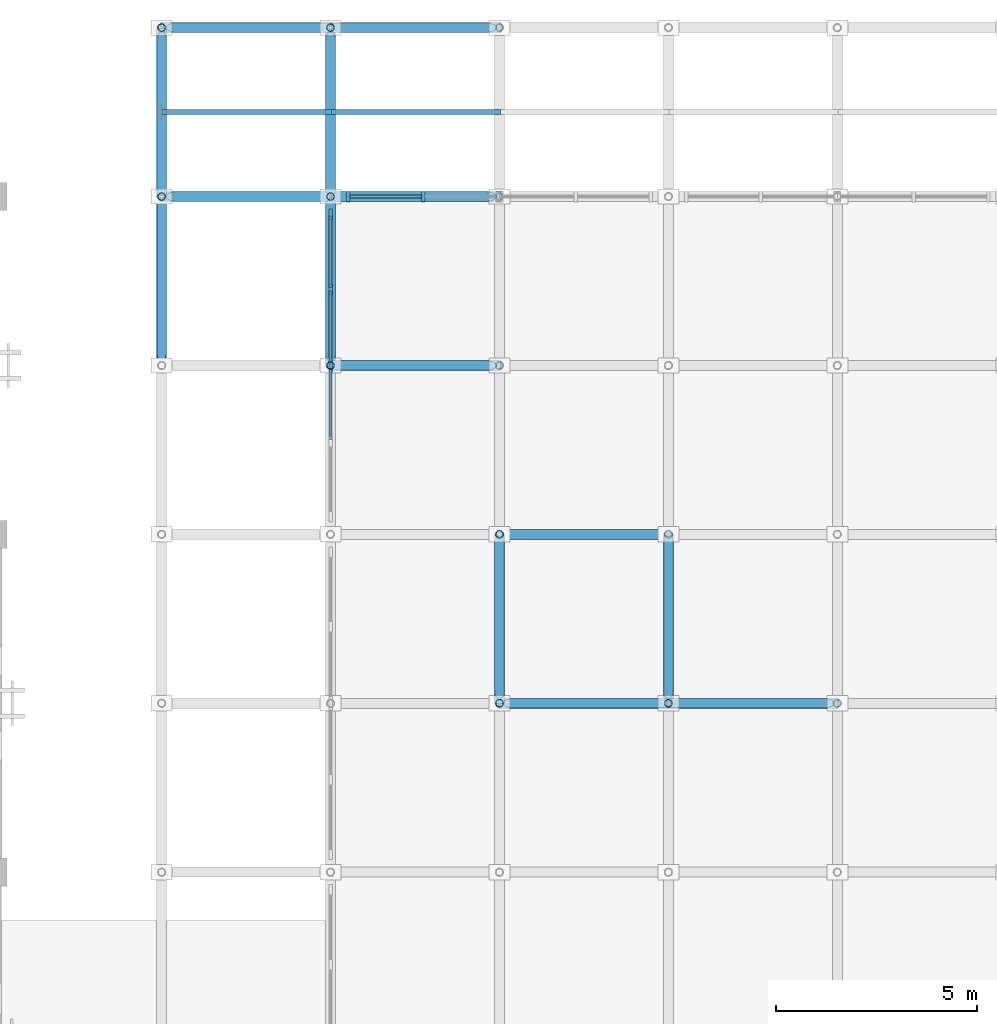
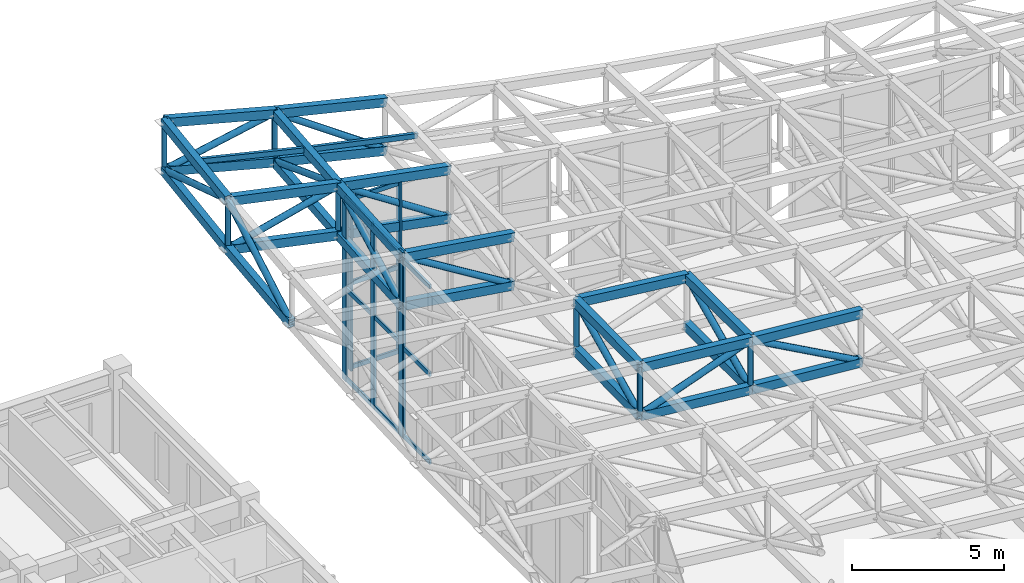
# One storey, part 32 of 111: 67 members, 3 elements without a shape of their own.
"""IFC4 building model written with IfcOpenShell, lengths in metres."""

import ifcopenshell
import ifcopenshell.guid

model = None  # the IFC model being written
_history = None  # IfcOwnerHistory: only IFC2X3 demands one
_inside = {}  # id of a spatial element -> (the spatial element, [elements in it])
_under = {}  # id of a project, library or spatial element -> (it, [spatial elements below it])
_declared = {}  # id of a project -> (the project, [libraries it declares])
_typed = {}  # id of a type object -> (the type object, [elements of that type])
_made_of = {}  # id of a material, layer set ... -> (it, [elements and type objects made of it])


def new_model(schema):
    """Start an empty IFC model of exactly this schema.

    Asked for "IFC4X3", IfcOpenShell would pick the latest addendum, in which some entities
    have other attributes; the version numbers below select the first issue.
    IFC2X3 requires an IfcOwnerHistory on every rooted entity: one is made here for all.
    """
    global model, _history
    if schema == "IFC4X3":
        model = ifcopenshell.file(schema_version=(4, 3, 0, 0))
    else:
        model = ifcopenshell.file(schema=schema)
    _inside.clear()
    _under.clear()
    _declared.clear()
    _typed.clear()
    _made_of.clear()
    _history = None
    if model.schema == "IFC2X3":
        org = make("IfcOrganization", Name="unknown")
        user = make(
            "IfcPersonAndOrganization",
            ThePerson=make("IfcPerson", FamilyName="unknown"),
            TheOrganization=org,
        )
        app = make(
            "IfcApplication",
            ApplicationDeveloper=org,
            Version="unknown",
            ApplicationFullName="unknown",
            ApplicationIdentifier="unknown",
        )
        _history = make(
            "IfcOwnerHistory",
            OwningUser=user,
            OwningApplication=app,
            ChangeAction="ADDED",
            CreationDate=0,
        )
    return model


def make(cls, **values):
    """One entity of the class cls with the attributes given. An attribute that is None is left unset."""
    return model.create_entity(
        cls, **{name: value for name, value in values.items() if value is not None}
    )


def rooted(cls, **values):
    """An entity with a GlobalId (a new one), such as an element, a storey or a relation."""
    return make(cls, GlobalId=ifcopenshell.guid.new(), OwnerHistory=_history, **values)


def si_unit(unit_type, name, prefix=None):
    """IfcSIUnit, for example si_unit("LENGTHUNIT", "METRE", prefix="MILLI")."""
    return make("IfcSIUnit", UnitType=unit_type, Prefix=prefix, Name=name)


def assignment(units):
    """IfcUnitAssignment: the units of a project."""
    return None if units is None else make("IfcUnitAssignment", Units=units)


def point(xyz):
    """IfcCartesianPoint."""
    return None if xyz is None else make("IfcCartesianPoint", Coordinates=xyz)


def direction(xyz):
    """IfcDirection."""
    return None if xyz is None else make("IfcDirection", DirectionRatios=xyz)


def frame(location, z_axis=None, x_axis=None):
    """IfcAxis2Placement3D, a coordinate frame: its origin and axes. An axis left out is left unset."""
    return make(
        "IfcAxis2Placement3D",
        Location=point(location),
        Axis=direction(z_axis),
        RefDirection=direction(x_axis),
    )


def frame_2d(location, x_axis=None):
    """IfcAxis2Placement2D, a coordinate frame in the plane: its origin and x axis."""
    return make(
        "IfcAxis2Placement2D", Location=point(location), RefDirection=direction(x_axis)
    )


def origin():
    """The frame at (0, 0, 0) with its axes left unset."""
    return frame((0.0, 0.0, 0.0))


def origin_2d():
    """The frame at (0, 0) in the plane with its x axis left unset."""
    return frame_2d((0.0, 0.0))


def place(relative_to, where):
    """IfcLocalPlacement: puts the frame where relative to a parent placement (None: the world)."""
    return make(
        "IfcLocalPlacement", PlacementRelTo=relative_to, RelativePlacement=where
    )


def context(
    kind, dimensions, precision=None, world=None, true_north=None, identifier=None
):
    """IfcGeometricRepresentationContext, for example the 3D "Model" context."""
    return make(
        "IfcGeometricRepresentationContext",
        ContextIdentifier=identifier,
        ContextType=kind,
        CoordinateSpaceDimension=dimensions,
        Precision=precision,
        WorldCoordinateSystem=world,
        TrueNorth=true_north,
    )


def subcontext(parent, identifier, kind, view, scale=None):
    """IfcGeometricRepresentationSubContext, for example "Body" below "Model"."""
    return make(
        "IfcGeometricRepresentationSubContext",
        ContextIdentifier=identifier,
        ContextType=kind,
        ParentContext=parent,
        TargetScale=scale,
        TargetView=view,
    )


def project(units=None, contexts=None):
    """IfcProject with its units and contexts."""
    return rooted(
        "IfcProject",
        Name="project",
        RepresentationContexts=contexts,
        UnitsInContext=assignment(units),
    )


def spatial(cls, under=None, at=None, **own):
    """A site, building, storey or space (cls), placed at a placement, below another one or the project."""
    s = rooted(cls, ObjectPlacement=at, **own)
    if under is not None:
        _under.setdefault(under.id(), (under, []))[1].append(s)
    return s


def profile(cls, at=None, kind="AREA", **sizes):
    """A parametric profile (cls). Its sizes go by their IFC names, for example OverallWidth=200.0."""
    return make(cls, ProfileType=kind, Position=at, **sizes)


def rectangle(**sizes):
    """IfcRectangleProfileDef."""
    return profile("IfcRectangleProfileDef", **sizes)


def hollow_rectangle(**sizes):
    """IfcRectangleHollowProfileDef."""
    return profile("IfcRectangleHollowProfileDef", **sizes)


def hollow_circle(**sizes):
    """IfcCircleHollowProfileDef."""
    return profile("IfcCircleHollowProfileDef", **sizes)


def extrude(swept, where, along, depth):
    """IfcExtrudedAreaSolid: the profile swept, set in the frame where, extruded along a direction by depth."""
    return make(
        "IfcExtrudedAreaSolid",
        SweptArea=swept,
        Position=where,
        ExtrudedDirection=direction(along),
        Depth=depth,
    )


def shape(context_of_items, identifier, shape_type, items):
    """IfcShapeRepresentation: the items that make up one representation, for example the "Body"."""
    return make(
        "IfcShapeRepresentation",
        ContextOfItems=context_of_items,
        RepresentationIdentifier=identifier,
        RepresentationType=shape_type,
        Items=items,
    )


def material(Name=None, Category=None):
    """IfcMaterial."""
    return make("IfcMaterial", Name=Name, Category=Category)


def material_profile(
    of_material, cross_section, Name=None, Category=None, Priority=None
):
    """IfcMaterialProfile: a cross section and its material."""
    return make(
        "IfcMaterialProfile",
        Name=Name,
        Material=of_material,
        Profile=cross_section,
        Priority=Priority,
        Category=Category,
    )


def profile_set(profiles, Name=None, composite=None):
    """IfcMaterialProfileSet."""
    return make(
        "IfcMaterialProfileSet",
        Name=Name,
        MaterialProfiles=profiles,
        CompositeProfile=composite,
    )


def made_of(thing, what):
    """Note that an element or type object is made of a material, layer set ...; save() writes the relation."""
    if what is not None:
        _made_of.setdefault(what.id(), (what, []))[1].append(thing)
    return thing


def type_object(cls, material=None, **own):
    """A type object (cls), such as IfcWallType, which elements share."""
    return made_of(rooted(cls, **own), material)


def element(
    cls,
    number,
    at=None,
    inside=None,
    cuts=None,
    type_object=None,
    material=None,
    context=None,
    identifier="Body",
    shape_type=None,
    held_by="IfcProductDefinitionShape",
    body=None,
    shapes=None,
    **own,
):
    """One element of the class cls, such as IfcWall. Its Tag is "e" and its number.

    at: its placement. inside: the storey or other place that contains it. cuts: it is an
    opening in that element (IfcRelVoidsElement). A single representation is given by context,
    identifier, shape_type and body (its items); several are given by shapes. held_by: the class
    of the entity that holds the representations. save() writes the other relations.
    """
    e = rooted(cls, Tag="e%d" % number, ObjectPlacement=at, **own)
    if body is not None:
        shapes = [shape(context, identifier, shape_type, body)]
    if shapes is not None:
        e.Representation = make(held_by, Representations=shapes)
    if inside is not None:
        _inside.setdefault(inside.id(), (inside, []))[1].append(e)
    if cuts is not None:
        rooted(
            "IfcRelVoidsElement", RelatingBuildingElement=cuts, RelatedOpeningElement=e
        )
    if type_object is not None:
        _typed.setdefault(type_object.id(), (type_object, []))[1].append(e)
    return made_of(e, material)


def aggregate(whole, parts):
    """IfcRelAggregates: a whole, such as a stair, and the parts it consists of."""
    return rooted("IfcRelAggregates", RelatingObject=whole, RelatedObjects=parts)


def save(model, path):
    """Write the relations noted so far, then the file.

    IfcRelAggregates (storeys below a building ...), IfcRelContainedInSpatialStructure (elements
    in a storey), IfcRelDefinesByType, IfcRelAssociatesMaterial and IfcRelDeclares: one each for
    every whole, place, type object, material and project.
    """
    for whole, parts in _under.values():
        aggregate(whole, parts)
    for where, things in _inside.values():
        rooted(
            "IfcRelContainedInSpatialStructure",
            RelatedElements=things,
            RelatingStructure=where,
        )
    for kind, things in _typed.values():
        rooted("IfcRelDefinesByType", RelatedObjects=things, RelatingType=kind)
    for what, things in _made_of.values():
        rooted("IfcRelAssociatesMaterial", RelatedObjects=things, RelatingMaterial=what)
    for by, libraries in _declared.values():
        rooted("IfcRelDeclares", RelatingContext=by, RelatedDefinitions=libraries)
    model.write(path)


model = new_model("IFC4")

# Units and contexts
model_context = context("Model", 3, precision=1e-05, world=origin(), true_north=direction((0.0, 1.0)))
body_context = subcontext(model_context, "Body", "Model", "MODEL_VIEW")
ifc_project = project(units=[si_unit("LENGTHUNIT", "METRE"), si_unit("AREAUNIT", "SQUARE_METRE"), si_unit("VOLUMEUNIT", "CUBIC_METRE"), si_unit("PLANEANGLEUNIT", "RADIAN"), si_unit("MASSUNIT", "GRAM", prefix="KILO")], contexts=[model_context])

# Site, building, storey
site_placement = place(None, origin())
site = spatial("IfcSite", under=ifc_project, at=site_placement, CompositionType="ELEMENT")
building_placement = place(site_placement, origin())
building = spatial("IfcBuilding", under=site, at=building_placement, Name="Cumbredor Promenade Congress Hotel", CompositionType="ELEMENT")
storey_placement = place(building_placement, frame((0.0, 0.0, 15.1201171875)))
storey = spatial("IfcBuildingStorey", under=building, at=storey_placement, Name="L04", CompositionType="ELEMENT", Elevation=15.1201171875)

# Curtain wall, members
ifc_material_1 = material(Name="Thermally broken anodized aluminium and low-E glass", Category="aluminium")
curtain_wall_type = type_object("IfcCurtainWallType", Name="Stepped Pavilion Clerestory Curtain Wall CW-06", PredefinedType="NOTDEFINED", material=ifc_material_1)
curtain_wall_1_placement = place(storey_placement, origin())
curtain_wall_1 = element("IfcCurtainWall", 1, at=curtain_wall_1_placement, inside=storey, type_object=curtain_wall_type, Name="Pre-Function and Breakout Meeting Forum N Glazed Clerestory 1", PredefinedType="NOTDEFINED")
ifc_material_2 = material(Name="Thermally broken anodized aluminium", Category="aluminium")
ifc_material_profile_1 = material_profile(ifc_material_2, rectangle(XDim=0.0849609375, YDim=0.260009765625, at=origin_2d()), Name="ALU MULLION CLERESTORY 85x260")
ifc_profile_set_1 = profile_set([ifc_material_profile_1], Name="Thermally broken anodized aluminium")
member_type_1 = type_object("IfcMemberType", Name="Curtain Wall Mullion ML-04", PredefinedType="MULLION", material=ifc_profile_set_1)
member_1_placement = place(storey_placement, frame((92.840087890625, 117.60009765625, -0.01806640625), z_axis=(0.0, 0.0, 1.0), x_axis=(1.0, 0.0, 0.0)))
member_1 = element("IfcMember", 2, at=member_1_placement, type_object=member_type_1, Name="Pre-Function and Breakout Meeting Forum N Glazed Clerestory 1 Mullion 1", PredefinedType="MULLION", context=body_context, shape_type="SweptSolid", body=[
    extrude(rectangle(XDim=0.0849609375, YDim=0.260009765625, at=origin_2d()), origin(), (0.0, 0.0, 1.0), 6.959228515625),
])
member_2_placement = place(storey_placement, frame((94.699951171875, 117.60009765625, -0.01806640625), z_axis=(0.0, 0.0, 1.0), x_axis=(1.0, 0.0, 0.0)))
member_2 = element("IfcMember", 3, at=member_2_placement, type_object=member_type_1, Name="Pre-Function and Breakout Meeting Forum N Glazed Clerestory 1 Mullion 2", PredefinedType="MULLION", context=body_context, shape_type="SweptSolid", body=[
    extrude(rectangle(XDim=0.0849609375, YDim=0.260009765625, at=origin_2d()), origin(), (0.0, 0.0, 1.0), 6.959228515625),
])

# Curtain wall, member
curtain_wall_2_placement = place(storey_placement, origin())
curtain_wall_2 = element("IfcCurtainWall", 4, at=curtain_wall_2_placement, inside=storey, type_object=curtain_wall_type, Name="Pre-Function and Breakout Meeting Forum W Glazed Clerestory 7", PredefinedType="NOTDEFINED")
member_3_placement = place(storey_placement, frame((92.39990234375, 113.360107421875, -0.01806640625), z_axis=(0.0, 0.0, 1.0), x_axis=(1.0, 0.0, 0.0)))
member_3 = element("IfcMember", 5, at=member_3_placement, type_object=member_type_1, Name="Pre-Function and Breakout Meeting Forum W Glazed Clerestory 7 Mullion 3", PredefinedType="MULLION", context=body_context, shape_type="SweptSolid", body=[
    extrude(rectangle(XDim=0.0849609375, YDim=0.260009765625, at=origin_2d()), origin(), (0.0, 0.0, 1.0), 7.248046875),
])

# Curtain wall, members
curtain_wall_3_placement = place(storey_placement, origin())
curtain_wall_3 = element("IfcCurtainWall", 6, at=curtain_wall_3_placement, inside=storey, type_object=curtain_wall_type, Name="Pre-Function and Breakout Meeting Forum W Glazed Clerestory 8", PredefinedType="NOTDEFINED")
member_4_placement = place(storey_placement, frame((92.39990234375, 113.43994140625, -0.01806640625), z_axis=(0.0, 0.0, 1.0), x_axis=(1.0, 0.0, 0.0)))
member_4 = element("IfcMember", 7, at=member_4_placement, type_object=member_type_1, Name="Pre-Function and Breakout Meeting Forum W Glazed Clerestory 8 Mullion 1", PredefinedType="MULLION", context=body_context, shape_type="SweptSolid", body=[
    extrude(rectangle(XDim=0.0849609375, YDim=0.260009765625, at=origin_2d()), origin(), (0.0, 0.0, 1.0), 7.4609375),
])
member_5_placement = place(storey_placement, frame((92.39990234375, 115.300048828125, -0.01806640625), z_axis=(0.0, 0.0, 1.0), x_axis=(1.0, 0.0, 0.0)))
member_5 = element("IfcMember", 8, at=member_5_placement, type_object=member_type_1, Name="Pre-Function and Breakout Meeting Forum W Glazed Clerestory 8 Mullion 2", PredefinedType="MULLION", context=body_context, shape_type="SweptSolid", body=[
    extrude(rectangle(XDim=0.0849609375, YDim=0.260009765625, at=origin_2d()), origin(), (0.0, 0.0, 1.0), 7.4609375),
])
member_6_placement = place(storey_placement, frame((92.39990234375, 117.159912109375, -0.01806640625), z_axis=(0.0, 0.0, 1.0), x_axis=(1.0, 0.0, 0.0)))
member_6 = element("IfcMember", 9, at=member_6_placement, type_object=member_type_1, Name="Pre-Function and Breakout Meeting Forum W Glazed Clerestory 8 Mullion 3", PredefinedType="MULLION", context=body_context, shape_type="SweptSolid", body=[
    extrude(rectangle(XDim=0.0849609375, YDim=0.260009765625, at=origin_2d()), origin(), (0.0, 0.0, 1.0), 7.4609375),
])

# Member
ifc_material_profile_2 = material_profile(ifc_material_2, rectangle(XDim=0.080078125, YDim=0.179931640625, at=origin_2d()), Name="ALU TRANSOM 80x180")
ifc_profile_set_2 = profile_set([ifc_material_profile_2], Name="Thermally broken anodized aluminium")
member_type_2 = type_object("IfcMemberType", Name="Curtain Wall Transom TR-03", PredefinedType="USERDEFINED", material=ifc_profile_set_2)
member_7_placement = place(storey_placement, frame((92.882568359375, 117.60009765625, 0.079833984375), z_axis=(1.0, 0.0, 0.0), x_axis=(0.0, 1.0, 0.0)))
member_7 = element("IfcMember", 10, at=member_7_placement, type_object=member_type_2, Name="Pre-Function and Breakout Meeting Forum N Glazed Clerestory 1 Transom 1.1", ObjectType="TRANSOM", PredefinedType="USERDEFINED", context=body_context, shape_type="SweptSolid", body=[
    extrude(rectangle(XDim=0.080078125, YDim=0.179931640625, at=origin_2d()), origin(), (0.0, 0.0, 1.0), 1.77490234375),
])

member_8_placement = place(storey_placement, frame((92.882568359375, 117.60009765625, 3.4599609375), z_axis=(1.0, 0.0, 0.0), x_axis=(0.0, 1.0, 0.0)))
member_8 = element("IfcMember", 11, at=member_8_placement, type_object=member_type_2, Name="Pre-Function and Breakout Meeting Forum N Glazed Clerestory 1 Transom 1.2", ObjectType="TRANSOM", PredefinedType="USERDEFINED", context=body_context, shape_type="SweptSolid", body=[
    extrude(rectangle(XDim=0.080078125, YDim=0.179931640625, at=origin_2d()), origin(), (0.0, 0.0, 1.0), 1.77490234375),
])

member_9_placement = place(storey_placement, frame((92.882568359375, 117.60009765625, 6.83984375), z_axis=(1.0, 0.0, 0.0), x_axis=(0.0, 1.0, 0.0)))
member_9 = element("IfcMember", 12, at=member_9_placement, type_object=member_type_2, Name="Pre-Function and Breakout Meeting Forum N Glazed Clerestory 1 Transom 1.3", ObjectType="TRANSOM", PredefinedType="USERDEFINED", context=body_context, shape_type="SweptSolid", body=[
    extrude(rectangle(XDim=0.080078125, YDim=0.179931640625, at=origin_2d()), origin(), (0.0, 0.0, 1.0), 1.77490234375),
])

aggregate(curtain_wall_1, [member_1, member_2, member_7, member_8, member_9])

member_10_placement = place(storey_placement, frame((92.39990234375, 111.54248046875, 0.079833984375), z_axis=(0.0, 1.0, 0.0), x_axis=(-1.0, 0.0, 0.0)))
member_10 = element("IfcMember", 13, at=member_10_placement, type_object=member_type_2, Name="Pre-Function and Breakout Meeting Forum W Glazed Clerestory 7 Transom 2.1", ObjectType="TRANSOM", PredefinedType="USERDEFINED", context=body_context, shape_type="SweptSolid", body=[
    extrude(rectangle(XDim=0.080078125, YDim=0.179931640625, at=origin_2d()), origin(), (0.0, 0.0, 1.0), 1.77490234375),
])

member_11_placement = place(storey_placement, frame((92.39990234375, 111.54248046875, 3.60986328125), z_axis=(0.0, 1.0, 0.0), x_axis=(-1.0, 0.0, 0.0)))
member_11 = element("IfcMember", 14, at=member_11_placement, type_object=member_type_2, Name="Pre-Function and Breakout Meeting Forum W Glazed Clerestory 7 Transom 2.2", ObjectType="TRANSOM", PredefinedType="USERDEFINED", context=body_context, shape_type="SweptSolid", body=[
    extrude(rectangle(XDim=0.080078125, YDim=0.179931640625, at=origin_2d()), origin(), (0.0, 0.0, 1.0), 1.77490234375),
])

member_12_placement = place(storey_placement, frame((92.39990234375, 111.54248046875, 7.1298828125), z_axis=(0.0, 1.0, 0.0), x_axis=(-1.0, 0.0, 0.0)))
member_12 = element("IfcMember", 15, at=member_12_placement, type_object=member_type_2, Name="Pre-Function and Breakout Meeting Forum W Glazed Clerestory 7 Transom 2.3", ObjectType="TRANSOM", PredefinedType="USERDEFINED", context=body_context, shape_type="SweptSolid", body=[
    extrude(rectangle(XDim=0.080078125, YDim=0.179931640625, at=origin_2d()), origin(), (0.0, 0.0, 1.0), 1.77490234375),
])

aggregate(curtain_wall_2, [member_3, member_10, member_11, member_12])

member_13_placement = place(storey_placement, frame((92.39990234375, 113.482421875, 0.079833984375), z_axis=(0.0, 1.0, 0.0), x_axis=(-1.0, 0.0, 0.0)))
member_13 = element("IfcMember", 16, at=member_13_placement, type_object=member_type_2, Name="Pre-Function and Breakout Meeting Forum W Glazed Clerestory 8 Transom 1.1", ObjectType="TRANSOM", PredefinedType="USERDEFINED", context=body_context, shape_type="SweptSolid", body=[
    extrude(rectangle(XDim=0.080078125, YDim=0.179931640625, at=origin_2d()), origin(), (0.0, 0.0, 1.0), 1.775146484375),
])

member_14_placement = place(storey_placement, frame((92.39990234375, 113.482421875, 3.7099609375), z_axis=(0.0, 1.0, 0.0), x_axis=(-1.0, 0.0, 0.0)))
member_14 = element("IfcMember", 17, at=member_14_placement, type_object=member_type_2, Name="Pre-Function and Breakout Meeting Forum W Glazed Clerestory 8 Transom 1.2", ObjectType="TRANSOM", PredefinedType="USERDEFINED", context=body_context, shape_type="SweptSolid", body=[
    extrude(rectangle(XDim=0.080078125, YDim=0.179931640625, at=origin_2d()), origin(), (0.0, 0.0, 1.0), 1.775146484375),
])

member_15_placement = place(storey_placement, frame((92.39990234375, 113.482421875, 7.33984375), z_axis=(0.0, 1.0, 0.0), x_axis=(-1.0, 0.0, 0.0)))
member_15 = element("IfcMember", 18, at=member_15_placement, type_object=member_type_2, Name="Pre-Function and Breakout Meeting Forum W Glazed Clerestory 8 Transom 1.3", ObjectType="TRANSOM", PredefinedType="USERDEFINED", context=body_context, shape_type="SweptSolid", body=[
    extrude(rectangle(XDim=0.080078125, YDim=0.179931640625, at=origin_2d()), origin(), (0.0, 0.0, 1.0), 1.775146484375),
])

member_16_placement = place(storey_placement, frame((92.39990234375, 115.342529296875, 0.079833984375), z_axis=(0.0, 1.0, 0.0), x_axis=(-1.0, 0.0, 0.0)))
member_16 = element("IfcMember", 19, at=member_16_placement, type_object=member_type_2, Name="Pre-Function and Breakout Meeting Forum W Glazed Clerestory 8 Transom 2.1", ObjectType="TRANSOM", PredefinedType="USERDEFINED", context=body_context, shape_type="SweptSolid", body=[
    extrude(rectangle(XDim=0.080078125, YDim=0.179931640625, at=origin_2d()), origin(), (0.0, 0.0, 1.0), 1.77490234375),
])

member_17_placement = place(storey_placement, frame((92.39990234375, 115.342529296875, 3.7099609375), z_axis=(0.0, 1.0, 0.0), x_axis=(-1.0, 0.0, 0.0)))
member_17 = element("IfcMember", 20, at=member_17_placement, type_object=member_type_2, Name="Pre-Function and Breakout Meeting Forum W Glazed Clerestory 8 Transom 2.2", ObjectType="TRANSOM", PredefinedType="USERDEFINED", context=body_context, shape_type="SweptSolid", body=[
    extrude(rectangle(XDim=0.080078125, YDim=0.179931640625, at=origin_2d()), origin(), (0.0, 0.0, 1.0), 1.77490234375),
])

member_18_placement = place(storey_placement, frame((92.39990234375, 115.342529296875, 7.33984375), z_axis=(0.0, 1.0, 0.0), x_axis=(-1.0, 0.0, 0.0)))
member_18 = element("IfcMember", 21, at=member_18_placement, type_object=member_type_2, Name="Pre-Function and Breakout Meeting Forum W Glazed Clerestory 8 Transom 2.3", ObjectType="TRANSOM", PredefinedType="USERDEFINED", context=body_context, shape_type="SweptSolid", body=[
    extrude(rectangle(XDim=0.080078125, YDim=0.179931640625, at=origin_2d()), origin(), (0.0, 0.0, 1.0), 1.77490234375),
])

aggregate(curtain_wall_3, [member_4, member_5, member_6, member_13, member_14, member_15, member_16, member_17, member_18])

# Members
ifc_material_3 = material(Name="Steel ASTM A500 Grade C", Category="steel")
ifc_material_profile_3 = material_profile(ifc_material_3, hollow_rectangle(XDim=0.25, YDim=0.35009765625, WallThickness=0.01611328125, at=origin_2d()), Name="HSS 350x250x16")
ifc_profile_set_3 = profile_set([ifc_material_profile_3], Name="Steel ASTM A500 Grade C")
member_type_3 = type_object("IfcMemberType", Name="Forum Roof Truss Chord", PredefinedType="CHORD", material=ifc_profile_set_3)
for number, where, z_axis, x_axis, name in (
    (22, (96.60009765625, 105.0, 6.439697265625), (0.995192328225, 0.0, -0.097939929761), (0.0, 1.0, 0.0), "Pre-Function and Breakout Meeting Forum X Top Chord 3.7"),
    (23, (96.60009765625, 105.0, 4.48974609375), (0.995192328225, 0.0, -0.097939929761), (0.0, 1.0, 0.0), "Pre-Function and Breakout Meeting Forum X Bottom Chord 3.7"),
):
    element("IfcMember", number, at=place(storey_placement, frame(where, z_axis=z_axis, x_axis=x_axis)), inside=storey, type_object=member_type_3, Name=name, PredefinedType="CHORD", context=body_context, shape_type="SweptSolid", body=[
        extrude(hollow_rectangle(XDim=0.25, YDim=0.35009765625, WallThickness=0.01611328125, at=origin_2d()), origin(), (0.0, 0.0, 1.0), 4.22021484375),
    ])
for number, where, z_axis, x_axis, name in (
    (24, (100.800048828125, 105.0, 6.0263671875), (0.996255133542, 0.0, -0.086462181851), (0.0, 1.0, 0.0), "Pre-Function and Breakout Meeting Forum X Top Chord 4.7"),
    (25, (100.800048828125, 105.0, 4.076416015625), (0.996250143488, 0.0, -0.086519660197), (0.0, 1.0, 0.0), "Pre-Function and Breakout Meeting Forum X Bottom Chord 4.7"),
):
    element("IfcMember", number, at=place(storey_placement, frame(where, z_axis=z_axis, x_axis=x_axis)), inside=storey, type_object=member_type_3, Name=name, PredefinedType="CHORD", context=body_context, shape_type="SweptSolid", body=[
        extrude(hollow_rectangle(XDim=0.25, YDim=0.35009765625, WallThickness=0.01611328125, at=origin_2d()), origin(), (0.0, 0.0, 1.0), 4.2158203125),
    ])
member_19_placement = place(storey_placement, frame((96.60009765625, 109.199951171875, 6.5), z_axis=(0.993701360609, 0.0, -0.112060724268), x_axis=(0.0, 1.0, 0.0)))
element("IfcMember", 26, at=member_19_placement, inside=storey, type_object=member_type_3, Name="Pre-Function and Breakout Meeting Forum X Top Chord 3.8", PredefinedType="CHORD", context=body_context, shape_type="SweptSolid", body=[
    extrude(hollow_rectangle(XDim=0.25, YDim=0.35009765625, WallThickness=0.01611328125, at=origin_2d()), origin(), (0.0, 0.0, 1.0), 4.2265625),
])
for number, where, z_axis, x_axis, name in (
    (27, (92.39990234375, 113.39990234375, 7.241943359375), (0.988524639822, 0.0, -0.151059711584), (0.0, 1.0, 0.0), "Pre-Function and Breakout Meeting Forum X Top Chord 2.9"),
    (28, (92.39990234375, 113.39990234375, 5.2919921875), (0.988524639822, 0.0, -0.151059711584), (0.0, 1.0, 0.0), "Pre-Function and Breakout Meeting Forum X Bottom Chord 2.9"),
):
    element("IfcMember", number, at=place(storey_placement, frame(where, z_axis=z_axis, x_axis=x_axis)), inside=storey, type_object=member_type_3, Name=name, PredefinedType="CHORD", context=body_context, shape_type="SweptSolid", body=[
        extrude(hollow_rectangle(XDim=0.25, YDim=0.35009765625, WallThickness=0.01611328125, at=origin_2d()), origin(), (0.0, 0.0, 1.0), 4.2490234375),
    ])
for number, where, z_axis, x_axis, name in (
    (29, (88.199951171875, 117.60009765625, 8.4267578125), (0.978408349995, 0.0, -0.206681157001), (0.0, 1.0, 0.0), "Pre-Function and Breakout Meeting Forum X Top Chord 1.10"),
    (30, (88.199951171875, 117.60009765625, 6.476806640625), (0.978408349995, 0.0, -0.206681157001), (0.0, 1.0, 0.0), "Pre-Function and Breakout Meeting Forum X Bottom Chord 1.10"),
):
    element("IfcMember", number, at=place(storey_placement, frame(where, z_axis=z_axis, x_axis=x_axis)), inside=storey, type_object=member_type_3, Name=name, PredefinedType="CHORD", context=body_context, shape_type="SweptSolid", body=[
        extrude(hollow_rectangle(XDim=0.25, YDim=0.35009765625, WallThickness=0.01611328125, at=origin_2d()), origin(), (0.0, 0.0, 1.0), 4.292724609375),
    ])
for number, where, z_axis, x_axis, name in (
    (31, (92.39990234375, 117.60009765625, 7.53955078125), (0.982369540052, 0.0, -0.186949423049), (0.0, 1.0, 0.0), "Pre-Function and Breakout Meeting Forum X Top Chord 2.10"),
    (32, (92.39990234375, 117.60009765625, 5.589599609375), (0.982369540052, 0.0, -0.186949423049), (0.0, 1.0, 0.0), "Pre-Function and Breakout Meeting Forum X Bottom Chord 2.10"),
):
    element("IfcMember", number, at=place(storey_placement, frame(where, z_axis=z_axis, x_axis=x_axis)), inside=storey, type_object=member_type_3, Name=name, PredefinedType="CHORD", context=body_context, shape_type="SweptSolid", body=[
        extrude(hollow_rectangle(XDim=0.25, YDim=0.35009765625, WallThickness=0.01611328125, at=origin_2d()), origin(), (0.0, 0.0, 1.0), 4.275634765625),
    ])
for number, where, z_axis, x_axis, name in (
    (33, (88.199951171875, 121.800048828125, 9.037353515625), (0.966757134539, 0.0, -0.255696387964), (0.0, 1.0, 0.0), "Pre-Function and Breakout Meeting Forum X Top Chord 1.11"),
    (34, (88.199951171875, 121.800048828125, 7.08740234375), (0.966757134539, 0.0, -0.255696387964), (0.0, 1.0, 0.0), "Pre-Function and Breakout Meeting Forum X Bottom Chord 1.11"),
):
    element("IfcMember", number, at=place(storey_placement, frame(where, z_axis=z_axis, x_axis=x_axis)), inside=storey, type_object=member_type_3, Name=name, PredefinedType="CHORD", context=body_context, shape_type="SweptSolid", body=[
        extrude(hollow_rectangle(XDim=0.25, YDim=0.35009765625, WallThickness=0.01611328125, at=origin_2d()), origin(), (0.0, 0.0, 1.0), 4.344482421875),
    ])
for number, where, z_axis, x_axis, name in (
    (35, (92.39990234375, 121.800048828125, 7.926513671875), (0.972668339164, 0.0, -0.232198841487), (0.0, 1.0, 0.0), "Pre-Function and Breakout Meeting Forum X Top Chord 2.11"),
    (36, (92.39990234375, 121.800048828125, 5.9765625), (0.972668339164, 0.0, -0.232198841487), (0.0, 1.0, 0.0), "Pre-Function and Breakout Meeting Forum X Bottom Chord 2.11"),
):
    element("IfcMember", number, at=place(storey_placement, frame(where, z_axis=z_axis, x_axis=x_axis)), inside=storey, type_object=member_type_3, Name=name, PredefinedType="CHORD", context=body_context, shape_type="SweptSolid", body=[
        extrude(hollow_rectangle(XDim=0.25, YDim=0.35009765625, WallThickness=0.01611328125, at=origin_2d()), origin(), (0.0, 0.0, 1.0), 4.318115234375),
    ])
member_20_placement = place(storey_placement, frame((88.199951171875, 113.39990234375, 6.003662109375), z_axis=(0.0, 0.99371494251, 0.111940220797), x_axis=(-1.0, 0.0, 0.0)))
element("IfcMember", 37, at=member_20_placement, inside=storey, type_object=member_type_3, Name="Pre-Function and Breakout Meeting Forum Y Bottom Chord 1.9", PredefinedType="CHORD", context=body_context, shape_type="SweptSolid", body=[
    extrude(hollow_rectangle(XDim=0.25, YDim=0.35009765625, WallThickness=0.01611328125, at=origin_2d()), origin(), (0.0, 0.0, 1.0), 4.226806640625),
])
for number, where, z_axis, x_axis, name in (
    (38, (88.199951171875, 117.60009765625, 8.4267578125), (0.0, 0.989596716338, 0.143869173258), (-1.0, 0.0, 0.0), "Pre-Function and Breakout Meeting Forum Y Top Chord 1.10"),
    (39, (88.199951171875, 117.60009765625, 6.476806640625), (0.0, 0.989596716338, 0.143869173258), (-1.0, 0.0, 0.0), "Pre-Function and Breakout Meeting Forum Y Bottom Chord 1.10"),
):
    element("IfcMember", number, at=place(storey_placement, frame(where, z_axis=z_axis, x_axis=x_axis)), inside=storey, type_object=member_type_3, Name=name, PredefinedType="CHORD", context=body_context, shape_type="SweptSolid", body=[
        extrude(hollow_rectangle(XDim=0.25, YDim=0.35009765625, WallThickness=0.01611328125, at=origin_2d()), origin(), (0.0, 0.0, 1.0), 4.244140625),
    ])
for number, where, z_axis, x_axis, name in (
    (40, (92.39990234375, 113.39990234375, 7.241943359375), (0.0, 0.997499153642, 0.070678415967), (-1.0, 0.0, 0.0), "Pre-Function and Breakout Meeting Forum Y Top Chord 2.9"),
    (41, (92.39990234375, 113.39990234375, 5.2919921875), (0.0, 0.997499153642, 0.070678415967), (-1.0, 0.0, 0.0), "Pre-Function and Breakout Meeting Forum Y Bottom Chord 2.9"),
):
    element("IfcMember", number, at=place(storey_placement, frame(where, z_axis=z_axis, x_axis=x_axis)), inside=storey, type_object=member_type_3, Name=name, PredefinedType="CHORD", context=body_context, shape_type="SweptSolid", body=[
        extrude(hollow_rectangle(XDim=0.25, YDim=0.35009765625, WallThickness=0.01611328125, at=origin_2d()), origin(), (0.0, 0.0, 1.0), 4.210693359375),
    ])
for number, where, z_axis, x_axis, name in (
    (42, (92.39990234375, 117.60009765625, 7.53955078125), (0.0, 0.995782395469, 0.091746503332), (-1.0, 0.0, 0.0), "Pre-Function and Breakout Meeting Forum Y Top Chord 2.10"),
    (43, (92.39990234375, 117.60009765625, 5.589599609375), (0.0, 0.995782395469, 0.091746503332), (-1.0, 0.0, 0.0), "Pre-Function and Breakout Meeting Forum Y Bottom Chord 2.10"),
):
    element("IfcMember", number, at=place(storey_placement, frame(where, z_axis=z_axis, x_axis=x_axis)), inside=storey, type_object=member_type_3, Name=name, PredefinedType="CHORD", context=body_context, shape_type="SweptSolid", body=[
        extrude(hollow_rectangle(XDim=0.25, YDim=0.35009765625, WallThickness=0.01611328125, at=origin_2d()), origin(), (0.0, 0.0, 1.0), 4.2177734375),
    ])
for number, where, z_axis, x_axis, name in (
    (44, (96.60009765625, 105.0, 6.439697265625), (0.0, 0.999896940415, 0.014356481095), (-1.0, 0.0, 0.0), "Pre-Function and Breakout Meeting Forum Y Top Chord 3.7"),
    (45, (96.60009765625, 105.0, 4.48974609375), (0.0, 0.999897773088, 0.014298369597), (-1.0, 0.0, 0.0), "Pre-Function and Breakout Meeting Forum Y Bottom Chord 3.7"),
):
    element("IfcMember", number, at=place(storey_placement, frame(where, z_axis=z_axis, x_axis=x_axis)), inside=storey, type_object=member_type_3, Name=name, PredefinedType="CHORD", context=body_context, shape_type="SweptSolid", body=[
        extrude(hollow_rectangle(XDim=0.25, YDim=0.35009765625, WallThickness=0.01611328125, at=origin_2d()), origin(), (0.0, 0.0, 1.0), 4.200439453125),
    ])
for number, where, z_axis, x_axis, name in (
    (46, (100.800048828125, 105.0, 6.0263671875), (0.0, 1.0, 0.0), (-1.0, 0.0, 0.0), "Pre-Function and Breakout Meeting Forum Y Top Chord 4.7"),
    (47, (100.800048828125, 105.0, 4.076416015625), (0.0, 0.99999999831, -5.8129396e-05), (-1.0, 0.0, 0.0), "Pre-Function and Breakout Meeting Forum Y Bottom Chord 4.7"),
):
    element("IfcMember", number, at=place(storey_placement, frame(where, z_axis=z_axis, x_axis=x_axis)), inside=storey, type_object=member_type_3, Name=name, PredefinedType="CHORD", context=body_context, shape_type="SweptSolid", body=[
        extrude(hollow_rectangle(XDim=0.25, YDim=0.35009765625, WallThickness=0.01611328125, at=origin_2d()), origin(), (0.0, 0.0, 1.0), 4.199951171875),
    ])
ifc_material_profile_4 = material_profile(ifc_material_3, hollow_rectangle(XDim=0.1201171875, YDim=0.199951171875, WallThickness=0.010009765625, at=origin_2d()), Name="HSS 200x120x10")
ifc_profile_set_4 = profile_set([ifc_material_profile_4], Name="Steel ASTM A500 Grade C")
member_type_4 = type_object("IfcMemberType", Name="Roof Purlin HSS200x120", PredefinedType="PURLIN", material=ifc_profile_set_4)
member_21_placement = place(storey_placement, frame((88.199951171875, 119.699951171875, 8.712158203125), z_axis=(0.972843821501, 0.0, -0.231462521735), x_axis=(0.0, 1.0, 0.0)))
element("IfcMember", 48, at=member_21_placement, inside=storey, type_object=member_type_4, Name="Pre-Function and Breakout Meeting Forum Roof Eave Purlin 1.10", PredefinedType="PURLIN", context=body_context, shape_type="SweptSolid", body=[
    extrude(hollow_rectangle(XDim=0.1201171875, YDim=0.199951171875, WallThickness=0.010009765625, at=origin_2d()), origin(), (0.0, 0.0, 1.0), 4.317138671875),
])
member_22_placement = place(storey_placement, frame((92.39990234375, 119.699951171875, 7.712890625), z_axis=(0.977762474304, 0.0, -0.209715387711), x_axis=(0.0, 1.0, 0.0)))
element("IfcMember", 49, at=member_22_placement, inside=storey, type_object=member_type_4, Name="Pre-Function and Breakout Meeting Forum Roof Eave Purlin 2.10", PredefinedType="PURLIN", context=body_context, shape_type="SweptSolid", body=[
    extrude(hollow_rectangle(XDim=0.1201171875, YDim=0.199951171875, WallThickness=0.010009765625, at=origin_2d()), origin(), (0.0, 0.0, 1.0), 4.295654296875),
])
ifc_material_profile_5 = material_profile(ifc_material_3, hollow_circle(Radius=0.122314453125, WallThickness=0.012451171875, at=origin_2d()), Name="CHS 244.5x12.5")
ifc_profile_set_5 = profile_set([ifc_material_profile_5], Name="Steel ASTM A500 Grade C")
member_type_5 = type_object("IfcMemberType", Name="Space Frame Web Diagonal D2", PredefinedType="BRACE", material=ifc_profile_set_5)
member_23_placement = place(storey_placement, frame((96.60009765625, 105.0, 4.48974609375), z_axis=(0.939118985478, 0.0, 0.343592099901), x_axis=(0.0, 1.0, 0.0)))
element("IfcMember", 50, at=member_23_placement, inside=storey, type_object=member_type_5, Name="Pre-Function and Breakout Meeting Forum X Web Diagonal 3.7", PredefinedType="BRACE", context=body_context, shape_type="SweptSolid", body=[
    extrude(hollow_circle(Radius=0.122314453125, WallThickness=0.012451171875, at=origin_2d()), origin(), (0.0, 0.0, 1.0), 4.47216796875),
])
member_24_placement = place(storey_placement, frame((100.800048828125, 105.0, 6.0263671875), z_axis=(0.875799607979, 0.0, -0.482674887127), x_axis=(0.0, 1.0, 0.0)))
element("IfcMember", 51, at=member_24_placement, inside=storey, type_object=member_type_5, Name="Pre-Function and Breakout Meeting Forum X Web Diagonal 4.7", PredefinedType="BRACE", context=body_context, shape_type="SweptSolid", body=[
    extrude(hollow_circle(Radius=0.122314453125, WallThickness=0.012451171875, at=origin_2d()), origin(), (0.0, 0.0, 1.0), 4.795654296875),
])
member_25_placement = place(storey_placement, frame((92.39990234375, 113.39990234375, 7.241943359375), z_axis=(0.851019080269, 0.0, -0.525134768434), x_axis=(0.0, 1.0, 0.0)))
element("IfcMember", 52, at=member_25_placement, inside=storey, type_object=member_type_5, Name="Pre-Function and Breakout Meeting Forum X Web Diagonal 2.9", PredefinedType="BRACE", context=body_context, shape_type="SweptSolid", body=[
    extrude(hollow_circle(Radius=0.122314453125, WallThickness=0.012451171875, at=origin_2d()), origin(), (0.0, 0.0, 1.0), 4.935546875),
])
member_26_placement = place(storey_placement, frame((88.199951171875, 117.60009765625, 6.476806640625), z_axis=(0.969445727993, 0.0, 0.245305891644), x_axis=(0.0, 1.0, 0.0)))
element("IfcMember", 53, at=member_26_placement, inside=storey, type_object=member_type_5, Name="Pre-Function and Breakout Meeting Forum X Web Diagonal 1.10", PredefinedType="BRACE", context=body_context, shape_type="SweptSolid", body=[
    extrude(hollow_circle(Radius=0.122314453125, WallThickness=0.012451171875, at=origin_2d()), origin(), (0.0, 0.0, 1.0), 4.332275390625),
])
member_27_placement = place(storey_placement, frame((92.39990234375, 117.60009765625, 7.53955078125), z_axis=(0.836697059794, 0.0, -0.547665984093), x_axis=(0.0, 1.0, 0.0)))
element("IfcMember", 54, at=member_27_placement, inside=storey, type_object=member_type_5, Name="Pre-Function and Breakout Meeting Forum X Web Diagonal 2.10", PredefinedType="BRACE", context=body_context, shape_type="SweptSolid", body=[
    extrude(hollow_circle(Radius=0.122314453125, WallThickness=0.012451171875, at=origin_2d()), origin(), (0.0, 0.0, 1.0), 5.02001953125),
])
member_28_placement = place(storey_placement, frame((88.199951171875, 121.800048828125, 7.08740234375), z_axis=(0.980620119353, 0.0, 0.195918813592), x_axis=(0.0, 1.0, 0.0)))
element("IfcMember", 55, at=member_28_placement, inside=storey, type_object=member_type_5, Name="Pre-Function and Breakout Meeting Forum X Web Diagonal 1.11", PredefinedType="BRACE", context=body_context, shape_type="SweptSolid", body=[
    extrude(hollow_circle(Radius=0.122314453125, WallThickness=0.012451171875, at=origin_2d()), origin(), (0.0, 0.0, 1.0), 4.282958984375),
])
member_29_placement = place(storey_placement, frame((92.39990234375, 121.800048828125, 7.926513671875), z_axis=(0.818086487203, 0.0, -0.575095209035), x_axis=(0.0, 1.0, 0.0)))
element("IfcMember", 56, at=member_29_placement, inside=storey, type_object=member_type_5, Name="Pre-Function and Breakout Meeting Forum X Web Diagonal 2.11", PredefinedType="BRACE", context=body_context, shape_type="SweptSolid", body=[
    extrude(hollow_circle(Radius=0.122314453125, WallThickness=0.012451171875, at=origin_2d()), origin(), (0.0, 0.0, 1.0), 5.13427734375),
])
member_30_placement = place(storey_placement, frame((88.199951171875, 113.39990234375, 6.003662109375), z_axis=(0.0, 0.866193968014, 0.499707924468), x_axis=(-1.0, 0.0, 0.0)))
element("IfcMember", 57, at=member_30_placement, inside=storey, type_object=member_type_5, Name="Pre-Function and Breakout Meeting Forum Y Web Diagonal 1.9", PredefinedType="BRACE", context=body_context, shape_type="SweptSolid", body=[
    extrude(hollow_circle(Radius=0.122314453125, WallThickness=0.012451171875, at=origin_2d()), origin(), (0.0, 0.0, 1.0), 4.84912109375),
])
member_31_placement = place(storey_placement, frame((88.199951171875, 117.60009765625, 8.4267578125), z_axis=(0.0, 0.95272847028, -0.30382307667), x_axis=(-1.0, 0.0, 0.0)))
element("IfcMember", 58, at=member_31_placement, inside=storey, type_object=member_type_5, Name="Pre-Function and Breakout Meeting Forum Y Web Diagonal 1.10", PredefinedType="BRACE", context=body_context, shape_type="SweptSolid", body=[
    extrude(hollow_circle(Radius=0.122314453125, WallThickness=0.012451171875, at=origin_2d()), origin(), (0.0, 0.0, 1.0), 4.408447265625),
])
member_32_placement = place(storey_placement, frame((92.39990234375, 113.39990234375, 5.2919921875), z_axis=(0.0, 0.881702344281, 0.471806078903), x_axis=(-1.0, 0.0, 0.0)))
element("IfcMember", 59, at=member_32_placement, inside=storey, type_object=member_type_5, Name="Pre-Function and Breakout Meeting Forum Y Web Diagonal 2.9", PredefinedType="BRACE", context=body_context, shape_type="SweptSolid", body=[
    extrude(hollow_circle(Radius=0.122314453125, WallThickness=0.012451171875, at=origin_2d()), origin(), (0.0, 0.0, 1.0), 4.763671875),
])
member_33_placement = place(storey_placement, frame((92.39990234375, 117.60009765625, 7.53955078125), z_axis=(0.0, 0.937206114536, -0.348776001003), x_axis=(-1.0, 0.0, 0.0)))
element("IfcMember", 60, at=member_33_placement, inside=storey, type_object=member_type_5, Name="Pre-Function and Breakout Meeting Forum Y Web Diagonal 2.10", PredefinedType="BRACE", context=body_context, shape_type="SweptSolid", body=[
    extrude(hollow_circle(Radius=0.122314453125, WallThickness=0.012451171875, at=origin_2d()), origin(), (0.0, 0.0, 1.0), 4.4814453125),
])
member_34_placement = place(storey_placement, frame((96.60009765625, 105.0, 4.48974609375), z_axis=(0.0, 0.902001967884, 0.431731919058), x_axis=(-1.0, 0.0, 0.0)))
element("IfcMember", 61, at=member_34_placement, inside=storey, type_object=member_type_5, Name="Pre-Function and Breakout Meeting Forum Y Web Diagonal 3.7", PredefinedType="BRACE", context=body_context, shape_type="SweptSolid", body=[
    extrude(hollow_circle(Radius=0.122314453125, WallThickness=0.012451171875, at=origin_2d()), origin(), (0.0, 0.0, 1.0), 4.65625),
])
member_35_placement = place(storey_placement, frame((100.800048828125, 105.0, 4.076416015625), z_axis=(0.0, 0.907011125382, 0.421106659212), x_axis=(-1.0, 0.0, 0.0)))
element("IfcMember", 62, at=member_35_placement, inside=storey, type_object=member_type_5, Name="Pre-Function and Breakout Meeting Forum Y Web Diagonal 4.7", PredefinedType="BRACE", context=body_context, shape_type="SweptSolid", body=[
    extrude(hollow_circle(Radius=0.122314453125, WallThickness=0.012451171875, at=origin_2d()), origin(), (0.0, 0.0, 1.0), 4.630615234375),
])
ifc_material_profile_6 = material_profile(ifc_material_3, hollow_circle(Radius=0.096923828125, WallThickness=0.010009765625, at=origin_2d()), Name="CHS 193.7x10")
ifc_profile_set_6 = profile_set([ifc_material_profile_6], Name="Steel ASTM A500 Grade C")
member_type_6 = type_object("IfcMemberType", Name="Space Frame Web Post P1", PredefinedType="BRACE", material=ifc_profile_set_6)
for number, where, z_axis, x_axis, name in (
    (63, (88.199951171875, 117.60009765625, 6.476806640625), (0.0, 0.0, 1.0), (1.0, 0.0, 0.0), "Pre-Function and Breakout Meeting Forum Space Frame Web Post 1.10"),
    (64, (88.199951171875, 121.800048828125, 7.08740234375), (0.0, 0.0, 1.0), (1.0, 0.0, 0.0), "Pre-Function and Breakout Meeting Forum Space Frame Web Post 1.11"),
    (65, (92.39990234375, 113.39990234375, 5.2919921875), (0.0, 0.0, 1.0), (1.0, 0.0, 0.0), "Pre-Function and Breakout Meeting Forum Space Frame Web Post 2.9"),
    (66, (92.39990234375, 117.60009765625, 5.589599609375), (0.0, 0.0, 1.0), (1.0, 0.0, 0.0), "Pre-Function and Breakout Meeting Forum Space Frame Web Post 2.10"),
    (67, (92.39990234375, 121.800048828125, 5.9765625), (0.0, 0.0, 1.0), (1.0, 0.0, 0.0), "Pre-Function and Breakout Meeting Forum Space Frame Web Post 2.11"),
    (68, (96.60009765625, 105.0, 4.48974609375), (0.0, 0.0, 1.0), (1.0, 0.0, 0.0), "Pre-Function and Breakout Meeting Forum Space Frame Web Post 3.7"),
):
    element("IfcMember", number, at=place(storey_placement, frame(where, z_axis=z_axis, x_axis=x_axis)), inside=storey, type_object=member_type_6, Name=name, PredefinedType="BRACE", context=body_context, shape_type="SweptSolid", body=[
        extrude(hollow_circle(Radius=0.096923828125, WallThickness=0.010009765625, at=origin_2d()), origin(), (0.0, 0.0, 1.0), 1.949951171875),
    ])
member_36_placement = place(storey_placement, frame((96.60009765625, 109.199951171875, 4.5498046875), z_axis=(0.0, 0.0, 1.0), x_axis=(1.0, 0.0, 0.0)))
element("IfcMember", 69, at=member_36_placement, inside=storey, type_object=member_type_6, Name="Pre-Function and Breakout Meeting Forum Space Frame Web Post 3.8", PredefinedType="BRACE", context=body_context, shape_type="SweptSolid", body=[
    extrude(hollow_circle(Radius=0.096923828125, WallThickness=0.010009765625, at=origin_2d()), origin(), (0.0, 0.0, 1.0), 1.9501953125),
])
member_37_placement = place(storey_placement, frame((100.800048828125, 105.0, 4.076416015625), z_axis=(0.0, 0.0, 1.0), x_axis=(1.0, 0.0, 0.0)))
element("IfcMember", 70, at=member_37_placement, inside=storey, type_object=member_type_6, Name="Pre-Function and Breakout Meeting Forum Space Frame Web Post 4.7", PredefinedType="BRACE", context=body_context, shape_type="SweptSolid", body=[
    extrude(hollow_circle(Radius=0.096923828125, WallThickness=0.010009765625, at=origin_2d()), origin(), (0.0, 0.0, 1.0), 1.949951171875),
])

save(model, "model.ifc")
